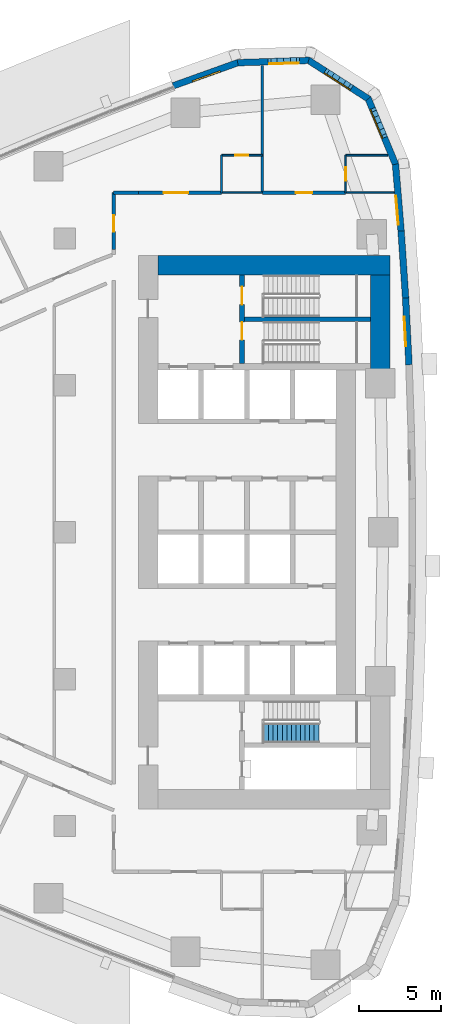
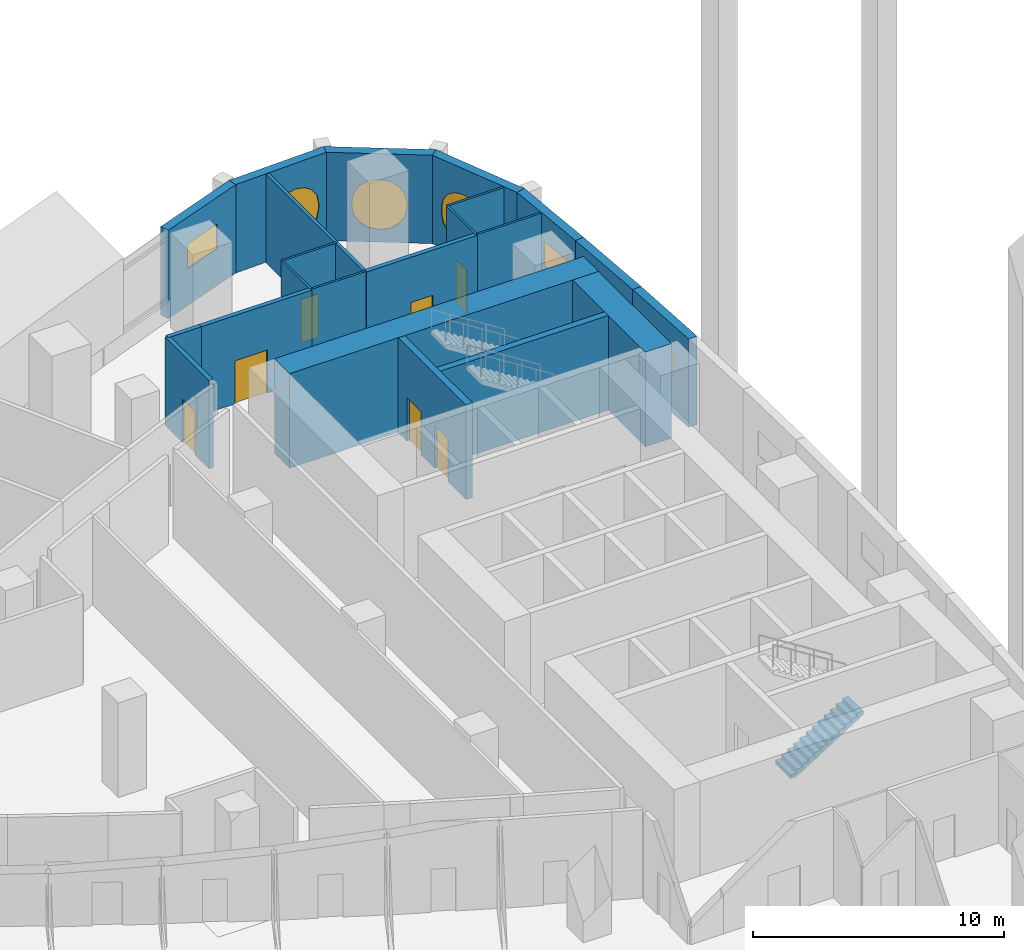
# One storey, part 13 of 20: 22 walls, 7 doors, 6 windows, 1 stair flight, 13 openings, 1 element without a shape of its own.
"""IFC4 building model written with IfcOpenShell, lengths in metres."""

from ifc_helpers import new_model, si_unit, direction, frame, frame_2d, origin, place, context, subcontext, project, spatial, polyline, rectangle, outline, extrude, material, layer, layer_set, type_object, element, fill, aggregate, save


model = new_model("IFC4")

# Units and contexts
model_context = context("Model", 3, precision=1e-05, world=origin(), true_north=direction((0.0, 1.0)))
body_context = subcontext(model_context, "Body", "Model", "MODEL_VIEW")
ifc_project = project(units=[si_unit("LENGTHUNIT", "METRE"), si_unit("AREAUNIT", "SQUARE_METRE"), si_unit("VOLUMEUNIT", "CUBIC_METRE"), si_unit("PLANEANGLEUNIT", "RADIAN"), si_unit("MASSUNIT", "GRAM", prefix="KILO")], contexts=[model_context])

# Site, building, storey
site_placement = place(None, origin())
site = spatial("IfcSite", under=ifc_project, at=site_placement, CompositionType="ELEMENT")
building_placement = place(site_placement, origin())
building = spatial("IfcBuilding", under=site, at=building_placement, Name="Ostrand Prow Hotel Tower", CompositionType="ELEMENT")
storey_placement = place(building_placement, frame((0.0, 0.0, 35.0)))
storey = spatial("IfcBuildingStorey", under=building, at=storey_placement, Name="L06", CompositionType="ELEMENT", Elevation=35.0)

# Walls
ifc_material_1 = material(Name="Concrete C80/95", Category="concrete")
ifc_layer_1 = layer(ifc_material_1, 1.199951171875)
ifc_layer_set_1 = layer_set([ifc_layer_1], Name="Concrete C80/95")
wall_type_1 = type_object("IfcWallType", Name="Core wall 1200 C80/95", PredefinedType="SHEAR", material=ifc_layer_set_1)
wall_1_placement = place(storey_placement, frame((50.699951171875, 16.35009765625, 0.0), z_axis=(0.0, 0.0, 1.0), x_axis=(1.0, 0.0, 0.0)))
element("IfcWall", 1, at=wall_1_placement, inside=storey, type_object=wall_type_1, Name="Core wall CW-N", PredefinedType="SHEAR", context=body_context, shape_type="SweptSolid", body=[
    extrude(rectangle(XDim=14.219970703125, YDim=1.199951171875, at=frame_2d((7.10986328125, 0.0))), origin(), (0.0, 0.0, 1.0), 4.60009765625),
])
wall_2_placement = place(storey_placement, frame((64.320068359375, 9.949951171875, 0.0), z_axis=(0.0, 0.0, 1.0), x_axis=(0.0, 1.0, 0.0)))
element("IfcWall", 2, at=wall_2_placement, inside=storey, type_object=wall_type_1, Name="Core wall CW-E-N", PredefinedType="SHEAR", context=body_context, shape_type="SweptSolid", body=[
    extrude(rectangle(XDim=5.800048828125, YDim=1.199951171875, at=frame_2d((2.89990234375, 0.0))), origin(), (0.0, 0.0, 1.0), 4.60009765625),
])

# Wall, openings, doors
ifc_material_2 = material(Name="Concrete C80/95", Category="concrete")
ifc_layer_2 = layer(ifc_material_2, 0.300048828125)
ifc_layer_set_2 = layer_set([ifc_layer_2], Name="Concrete C80/95")
wall_type_2 = type_object("IfcWallType", Name="Core wall 300 C80/95", PredefinedType="SHEAR", material=ifc_layer_set_2)
wall_3_placement = place(storey_placement, frame((55.85009765625, 10.35009765625, 0.0), z_axis=(0.0, 0.0, 1.0), x_axis=(0.0, 1.0, 0.0)))
wall_3 = element("IfcWall", 3, at=wall_3_placement, inside=storey, type_object=wall_type_2, Name="Core wall PW-VN", PredefinedType="SHEAR", context=body_context, shape_type="SweptSolid", body=[
    extrude(rectangle(XDim=5.39990234375, YDim=0.300048828125, at=frame_2d((2.699951171875, 0.0))), origin(), (0.0, 0.0, 1.0), 4.60009765625),
])
opening_1_placement = place(wall_3_placement, frame((1.429931640625, 0.0, 0.0)))
opening_1 = element("IfcOpeningElement", 4, at=opening_1_placement, cuts=wall_3, Name="Opening FD1", PredefinedType="OPENING", context=body_context, shape_type="SweptSolid", body=[
    extrude(rectangle(XDim=1.10009765625, YDim=2.10009765625, at=frame_2d((0.550048828125, 1.050048828125))), frame((0.0, 0.159912109375, 0.0), z_axis=(0.0, -1.0, 0.0), x_axis=(1.0, 0.0, 0.0)), (0.0, 0.0, 1.0), 0.320068359375),
])
opening_2_placement = place(wall_3_placement, frame((3.60009765625, 0.0, 0.0)))
opening_2 = element("IfcOpeningElement", 5, at=opening_2_placement, cuts=wall_3, Name="Opening FD1", PredefinedType="OPENING", context=body_context, shape_type="SweptSolid", body=[
    extrude(rectangle(XDim=1.10009765625, YDim=2.10009765625, at=frame_2d((0.550048828125, 1.050048828125))), frame((0.0, 0.159912109375, 0.0), z_axis=(0.0, -1.0, 0.0), x_axis=(1.0, 0.0, 0.0)), (0.0, 0.0, 1.0), 0.320068359375),
])
ifc_material_3 = material(Name="Steel fire door", Category="steel")
door_type_1 = type_object("IfcDoorType", Name="Fire door 1100 EI120", OperationType="SINGLE_SWING_RIGHT", PredefinedType="DOOR", material=ifc_material_3)
door_1_placement = place(opening_1_placement, origin())
door_1 = element("IfcDoor", 6, at=door_1_placement, inside=storey, type_object=door_type_1, Name="FIRE DOOR", OperationType="SINGLE_SWING_RIGHT", OverallHeight=2.10009765625, OverallWidth=1.10009765625, PredefinedType="DOOR", context=body_context, shape_type="SweptSolid", body=[
    extrude(rectangle(XDim=1.10009765625, YDim=2.10009765625, at=frame_2d((0.550048828125, 1.050048828125))), frame((0.0, 0.02490234375, 0.0), z_axis=(0.0, -1.0, 0.0), x_axis=(1.0, 0.0, 0.0)), (0.0, 0.0, 1.0), 0.050048828125),
])
fill(opening_1, door_1)
door_2_placement = place(opening_2_placement, origin())
door_2 = element("IfcDoor", 7, at=door_2_placement, inside=storey, type_object=door_type_1, Name="FIRE DOOR", OperationType="SINGLE_SWING_RIGHT", OverallHeight=2.10009765625, OverallWidth=1.10009765625, PredefinedType="DOOR", context=body_context, shape_type="SweptSolid", body=[
    extrude(rectangle(XDim=1.10009765625, YDim=2.10009765625, at=frame_2d((0.550048828125, 1.050048828125))), frame((0.0, 0.02490234375, 0.0), z_axis=(0.0, -1.0, 0.0), x_axis=(1.0, 0.0, 0.0)), (0.0, 0.0, 1.0), 0.050048828125),
])
fill(opening_2, door_2)

# Walls
wall_4_placement = place(storey_placement, frame((56.0, 13.050048828125, 0.0), z_axis=(0.0, 0.0, 1.0), x_axis=(1.0, 0.0, 0.0)))
element("IfcWall", 8, at=wall_4_placement, inside=storey, type_object=wall_type_2, Name="Core wall PW-ST13", PredefinedType="SHEAR", context=body_context, shape_type="SweptSolid", body=[
    extrude(rectangle(XDim=7.719970703125, YDim=0.300048828125, at=frame_2d((3.85986328125, 0.0))), origin(), (0.0, 0.0, 1.0), 4.60009765625),
])
ifc_material_4 = material(Name="Plasterboard partition")
ifc_layer_3 = layer(ifc_material_4, 0.10009765625)
ifc_layer_set_3 = layer_set([ifc_layer_3], Name="Plasterboard partition")
wall_type_3 = type_object("IfcWallType", Name="Partition 100 bathroom wall", PredefinedType="PARTITIONING", material=ifc_layer_set_3)
wall_5_placement = place(storey_placement, frame((54.601806640625, 20.800048828125, 0.0), z_axis=(0.0, 0.0, 1.0), x_axis=(0.0, 1.0, 0.0)))
element("IfcWall", 9, at=wall_5_placement, inside=storey, type_object=wall_type_3, Name="BATHROOM WALL", PredefinedType="PARTITIONING", context=body_context, shape_type="SweptSolid", body=[
    extrude(rectangle(XDim=2.300048828125, YDim=0.10009765625, at=frame_2d((1.14990234375, 0.0))), origin(), (0.0, 0.0, 1.0), 4.300048828125),
])

# Wall, opening, door
wall_6_placement = place(storey_placement, frame((54.601806640625, 23.10009765625, 0.0), z_axis=(0.0, 0.0, 1.0), x_axis=(1.0, 0.0, 0.0)))
wall_6 = element("IfcWall", 10, at=wall_6_placement, inside=storey, type_object=wall_type_3, Name="BATHROOM WALL", PredefinedType="PARTITIONING", context=body_context, shape_type="SweptSolid", body=[
    extrude(rectangle(XDim=2.5, YDim=0.10009765625, at=frame_2d((1.25, 0.0))), origin(), (0.0, 0.0, 1.0), 4.300048828125),
])
opening_3_placement = place(wall_6_placement, frame((0.85009765625, 0.0, 0.0)))
opening_3 = element("IfcOpeningElement", 11, at=opening_3_placement, cuts=wall_6, Name="Opening D2", PredefinedType="OPENING", context=body_context, shape_type="SweptSolid", body=[
    extrude(rectangle(XDim=0.800048828125, YDim=2.10009765625, at=frame_2d((0.39990234375, 1.050048828125))), frame((0.0, 0.06005859375, 0.0), z_axis=(0.0, -1.0, 0.0), x_axis=(1.0, 0.0, 0.0)), (0.0, 0.0, 1.0), 0.1201171875),
])
ifc_material_5 = material(Name="Timber door leaf", Category="wood")
door_type_2 = type_object("IfcDoorType", Name="Bathroom door 800", OperationType="SINGLE_SWING_LEFT", PredefinedType="DOOR", material=ifc_material_5)
door_3_placement = place(opening_3_placement, origin())
door_3 = element("IfcDoor", 12, at=door_3_placement, inside=storey, type_object=door_type_2, Name="DOOR", OperationType="SINGLE_SWING_LEFT", OverallHeight=2.10009765625, OverallWidth=0.800048828125, PredefinedType="DOOR", context=body_context, shape_type="SweptSolid", body=[
    extrude(rectangle(XDim=0.800048828125, YDim=2.10009765625, at=frame_2d((0.39990234375, 1.050048828125))), frame((0.0, 0.02490234375, 0.0), z_axis=(0.0, -1.0, 0.0), x_axis=(1.0, 0.0, 0.0)), (0.0, 0.0, 1.0), 0.050048828125),
])
fill(opening_3, door_3)

wall_7_placement = place(storey_placement, frame((62.203369140625, 20.800048828125, 0.0), z_axis=(0.0, 0.0, 1.0), x_axis=(0.0, 1.0, 0.0)))
wall_7 = element("IfcWall", 13, at=wall_7_placement, inside=storey, type_object=wall_type_3, Name="BATHROOM WALL", PredefinedType="PARTITIONING", context=body_context, shape_type="SweptSolid", body=[
    extrude(rectangle(XDim=2.300048828125, YDim=0.10009765625, at=frame_2d((1.14990234375, 0.0))), origin(), (0.0, 0.0, 1.0), 4.300048828125),
])
opening_4_placement = place(wall_7_placement, frame((0.75, 0.0, 0.0)))
opening_4 = element("IfcOpeningElement", 14, at=opening_4_placement, cuts=wall_7, Name="Opening D2", PredefinedType="OPENING", context=body_context, shape_type="SweptSolid", body=[
    extrude(rectangle(XDim=0.800048828125, YDim=2.10009765625, at=frame_2d((0.39990234375, 1.050048828125))), frame((0.0, 0.06005859375, 0.0), z_axis=(0.0, -1.0, 0.0), x_axis=(1.0, 0.0, 0.0)), (0.0, 0.0, 1.0), 0.1201171875),
])
door_4_placement = place(opening_4_placement, origin())
door_4 = element("IfcDoor", 15, at=door_4_placement, inside=storey, type_object=door_type_2, Name="DOOR", OperationType="SINGLE_SWING_LEFT", OverallHeight=2.10009765625, OverallWidth=0.800048828125, PredefinedType="DOOR", context=body_context, shape_type="SweptSolid", body=[
    extrude(rectangle(XDim=0.800048828125, YDim=2.10009765625, at=frame_2d((0.39990234375, 1.050048828125))), frame((0.0, 0.02490234375, 0.0), z_axis=(0.0, -1.0, 0.0), x_axis=(1.0, 0.0, 0.0)), (0.0, 0.0, 1.0), 0.050048828125),
])
fill(opening_4, door_4)

# Walls
wall_8_placement = place(storey_placement, frame((62.203369140625, 23.10009765625, 0.0), z_axis=(0.0, 0.0, 1.0), x_axis=(1.0, 0.0, 0.0)))
element("IfcWall", 16, at=wall_8_placement, inside=storey, type_object=wall_type_3, Name="BATHROOM WALL", PredefinedType="PARTITIONING", context=body_context, shape_type="SweptSolid", body=[
    extrude(rectangle(XDim=2.578125, YDim=0.10009765625, at=frame_2d((1.2890625, 0.0))), origin(), (0.0, 0.0, 1.0), 4.300048828125),
])
wall_9_placement = place(storey_placement, frame((57.101806640625, 20.804931640625, 0.0), z_axis=(0.0, 0.0, 1.0), x_axis=(-1.0, 0.0, 0.0)))
element("IfcWall", 17, at=wall_9_placement, inside=storey, type_object=wall_type_3, Name="BATHROOM WALL", PredefinedType="PARTITIONING", context=body_context, shape_type="SweptSolid", body=[
    extrude(rectangle(XDim=2.5, YDim=0.10009765625, at=frame_2d((1.25, 0.0))), origin(), (0.0, 0.0, 1.0), 4.300048828125),
])
wall_10_placement = place(storey_placement, frame((65.174560546875, 20.804931640625, 0.0), z_axis=(0.0, 0.0, 1.0), x_axis=(-1.0, 0.0, 0.0)))
element("IfcWall", 18, at=wall_10_placement, inside=storey, type_object=wall_type_3, Name="BATHROOM WALL", PredefinedType="PARTITIONING", context=body_context, shape_type="SweptSolid", body=[
    extrude(rectangle(XDim=2.97119140625, YDim=0.10009765625, at=frame_2d((1.485595703125, 0.0))), origin(), (0.0, 0.0, 1.0), 4.300048828125),
])
ifc_material_6 = material(Name="Plasterboard partition")
ifc_layer_4 = layer(ifc_material_6, 0.14990234375)
ifc_layer_set_4 = layer_set([ifc_layer_4], Name="Plasterboard partition")
wall_type_4 = type_object("IfcWallType", Name="Partition 150 room partition", PredefinedType="PARTITIONING", material=ifc_layer_set_4)
wall_11_placement = place(storey_placement, frame((57.101806640625, 20.800048828125, 0.0), z_axis=(0.0, 0.0, 1.0), x_axis=(0.0, 1.0, 0.0)))
element("IfcWall", 19, at=wall_11_placement, inside=storey, type_object=wall_type_4, Name="ROOM PARTITION", PredefinedType="PARTITIONING", context=body_context, shape_type="SweptSolid", body=[
    extrude(rectangle(XDim=7.786865234375, YDim=0.14990234375, at=frame_2d((3.8935546875, 0.0))), origin(), (0.0, 0.0, 1.0), 4.300048828125),
])

# Wall, opening, door
ifc_material_7 = material(Name="Plasterboard partition")
ifc_layer_5 = layer(ifc_material_7, 0.199951171875)
ifc_layer_set_5 = layer_set([ifc_layer_5], Name="Plasterboard partition")
wall_type_5 = type_object("IfcWallType", Name="Partition 200 corridor wall", PredefinedType="PARTITIONING", material=ifc_layer_set_5)
wall_12_placement = place(storey_placement, frame((54.5966796875, 20.804931640625, 0.0), z_axis=(0.0, 0.0, 1.0), x_axis=(-1.0, 0.0, 0.0)))
wall_12 = element("IfcWall", 20, at=wall_12_placement, inside=storey, type_object=wall_type_5, Name="CORRIDOR WALL", PredefinedType="PARTITIONING", context=body_context, shape_type="SweptSolid", body=[
    extrude(rectangle(XDim=5.0966796875, YDim=0.199951171875, at=frame_2d((2.54833984375, 0.0))), origin(), (0.0, 0.0, 1.0), 4.300048828125),
])
opening_5_placement = place(wall_12_placement, frame((2.04833984375, 0.0, 0.0)))
opening_5 = element("IfcOpeningElement", 21, at=opening_5_placement, cuts=wall_12, Name="Opening D15", PredefinedType="OPENING", context=body_context, shape_type="SweptSolid", body=[
    extrude(rectangle(XDim=1.5, YDim=2.10009765625, at=frame_2d((0.75, 1.050048828125))), frame((0.0, 0.10986328125, 0.0), z_axis=(0.0, -1.0, 0.0), x_axis=(1.0, 0.0, 0.0)), (0.0, 0.0, 1.0), 0.219970703125),
])
ifc_material_8 = material(Name="Timber door leaf", Category="wood")
door_type_3 = type_object("IfcDoorType", Name="Double door 1500", OperationType="DOUBLE_DOOR_SINGLE_SWING", PredefinedType="DOOR", material=ifc_material_8)
door_5_placement = place(opening_5_placement, origin())
door_5 = element("IfcDoor", 22, at=door_5_placement, inside=storey, type_object=door_type_3, Name="DOOR", OperationType="DOUBLE_DOOR_SINGLE_SWING", OverallHeight=2.10009765625, OverallWidth=1.5, PredefinedType="DOOR", context=body_context, shape_type="SweptSolid", body=[
    extrude(rectangle(XDim=1.5, YDim=2.10009765625, at=frame_2d((0.75, 1.050048828125))), frame((0.0, 0.02490234375, 0.0), z_axis=(0.0, -1.0, 0.0), x_axis=(1.0, 0.0, 0.0)), (0.0, 0.0, 1.0), 0.050048828125),
])
fill(opening_5, door_5)

wall_13_placement = place(storey_placement, frame((62.1982421875, 20.804931640625, 0.0), z_axis=(0.0, 0.0, 1.0), x_axis=(-1.0, 0.0, 0.0)))
wall_13 = element("IfcWall", 23, at=wall_13_placement, inside=storey, type_object=wall_type_5, Name="CORRIDOR WALL", PredefinedType="PARTITIONING", context=body_context, shape_type="SweptSolid", body=[
    extrude(rectangle(XDim=5.091552734375, YDim=0.199951171875, at=frame_2d((2.5458984375, 0.0))), origin(), (0.0, 0.0, 1.0), 4.300048828125),
])
opening_6_placement = place(wall_13_placement, frame((2.0458984375, 0.0, 0.0)))
opening_6 = element("IfcOpeningElement", 24, at=opening_6_placement, cuts=wall_13, Name="Opening D1", PredefinedType="OPENING", context=body_context, shape_type="SweptSolid", body=[
    extrude(rectangle(XDim=1.0, YDim=2.10009765625, at=frame_2d((0.5, 1.050048828125))), frame((0.0, 0.10986328125, 0.0), z_axis=(0.0, -1.0, 0.0), x_axis=(1.0, 0.0, 0.0)), (0.0, 0.0, 1.0), 0.219970703125),
])
ifc_material_9 = material(Name="Timber door leaf", Category="wood")
door_type_4 = type_object("IfcDoorType", Name="Guest room door 1000", OperationType="SINGLE_SWING_LEFT", PredefinedType="DOOR", material=ifc_material_9)
door_6_placement = place(opening_6_placement, origin())
door_6 = element("IfcDoor", 25, at=door_6_placement, inside=storey, type_object=door_type_4, Name="DOOR", OperationType="SINGLE_SWING_LEFT", OverallHeight=2.10009765625, OverallWidth=1.0, PredefinedType="DOOR", context=body_context, shape_type="SweptSolid", body=[
    extrude(rectangle(XDim=1.0, YDim=2.10009765625, at=frame_2d((0.5, 1.050048828125))), frame((0.0, 0.02490234375, 0.0), z_axis=(0.0, -1.0, 0.0), x_axis=(1.0, 0.0, 0.0)), (0.0, 0.0, 1.0), 0.050048828125),
])
fill(opening_6, door_6)

wall_14_placement = place(storey_placement, frame((47.99560546875, 20.802490234375, 0.0), z_axis=(0.0, 0.0, 1.0), x_axis=(0.000840276995, -0.999999646967, 0.0)))
wall_14 = element("IfcWall", 26, at=wall_14_placement, inside=storey, type_object=wall_type_5, Name="CORRIDOR WALL", PredefinedType="PARTITIONING", context=body_context, shape_type="SweptSolid", body=[
    extrude(rectangle(XDim=3.486572265625, YDim=0.199951171875, at=frame_2d((1.7431640625, 0.0))), origin(), (0.0, 0.0, 1.0), 4.300048828125),
])
opening_7_placement = place(wall_14_placement, frame((1.385009765625, 0.0, 0.0)))
opening_7 = element("IfcOpeningElement", 27, at=opening_7_placement, cuts=wall_14, Name="Opening D1R", PredefinedType="OPENING", context=body_context, shape_type="SweptSolid", body=[
    extrude(rectangle(XDim=1.0, YDim=2.10009765625, at=frame_2d((0.5, 1.050048828125))), frame((0.0, 0.10986328125, 0.0), z_axis=(0.0, -1.0, 0.0), x_axis=(1.0, 0.0, 0.0)), (0.0, 0.0, 1.0), 0.219970703125),
])
ifc_material_10 = material(Name="Timber door leaf", Category="wood")
door_type_5 = type_object("IfcDoorType", Name="Guest room door 1000 right", OperationType="SINGLE_SWING_RIGHT", PredefinedType="DOOR", material=ifc_material_10)
door_7_placement = place(opening_7_placement, origin())
door_7 = element("IfcDoor", 28, at=door_7_placement, inside=storey, type_object=door_type_5, Name="DOOR", OperationType="SINGLE_SWING_RIGHT", OverallHeight=2.10009765625, OverallWidth=1.0, PredefinedType="DOOR", context=body_context, shape_type="SweptSolid", body=[
    extrude(rectangle(XDim=1.0, YDim=2.10009765625, at=frame_2d((0.5, 1.050048828125))), frame((0.0, 0.02490234375, 0.0), z_axis=(0.0, -1.0, 0.0), x_axis=(1.0, 0.0, 0.0)), (0.0, 0.0, 1.0), 0.050048828125),
])
fill(opening_7, door_7)

# Wall
wall_15_placement = place(storey_placement, frame((49.5, 20.804931640625, 0.0), z_axis=(0.0, 0.0, 1.0), x_axis=(-0.999998683182, -0.001622847587, 0.0)))
element("IfcWall", 29, at=wall_15_placement, inside=storey, type_object=wall_type_5, Name="CORRIDOR WALL", PredefinedType="PARTITIONING", context=body_context, shape_type="SweptSolid", body=[
    extrude(rectangle(XDim=1.50439453125, YDim=0.199951171875, at=frame_2d((0.752197265625, 0.0))), origin(), (0.0, 0.0, 1.0), 4.300048828125),
])

# Wall, opening, window
ifc_material_11 = material(Name="Precast concrete C40/50", Category="concrete")
ifc_layer_6 = layer(ifc_material_11, 0.39990234375)
ifc_layer_set_6 = layer_set([ifc_layer_6], Name="Precast concrete C40/50")
wall_type_6 = type_object("IfcWallType", Name="Stone-faced precast wall 400 mm", PredefinedType="NOTDEFINED", material=ifc_layer_set_6)
wall_16_placement = place(storey_placement, frame((66.084716796875, 10.259765625, 0.0), z_axis=(0.0, 0.0, 1.0), x_axis=(-0.050314326423, 0.998733432181, 0.0)))
wall_16 = element("IfcWall", 30, at=wall_16_placement, inside=storey, type_object=wall_type_6, Name="Stone-faced wall back 13", PredefinedType="NOTDEFINED", context=body_context, shape_type="SweptSolid", body=[
    extrude(outline(polyline([(-0.001708984375, -0.199951171875), (4.106689453125, -0.199951171875), (4.103271484375, 0.199951171875), (0.001708984375, 0.199951171875), (-0.001708984375, -0.199951171875)])), origin(), (0.0, 0.0, 1.0), 4.300048828125),
])
opening_8_placement = place(wall_16_placement, frame((1.152587890625, 0.0, 1.800048828125)))
opening_8 = element("IfcOpeningElement", 31, at=opening_8_placement, cuts=wall_16, Name="Opening WC1", PredefinedType="OPENING", context=body_context, shape_type="SweptSolid", body=[
    extrude(rectangle(XDim=1.800048828125, YDim=1.199951171875, at=frame_2d((0.89990234375, 0.60009765625))), frame((0.0, 0.2099609375, 0.0), z_axis=(0.0, -1.0, 0.0), x_axis=(1.0, 0.0, 0.0)), (0.0, 0.0, 1.0), 0.419921875),
])
ifc_material_12 = material(Name="Insulated glass in bronze frame", Category="glass")
window_type_1 = type_object("IfcWindowType", Name="Sky lobby clerestory window 1800x1200", PartitioningType="SINGLE_PANEL", PredefinedType="WINDOW", material=ifc_material_12)
window_1_placement = place(opening_8_placement, origin())
window_1 = element("IfcWindow", 32, at=window_1_placement, inside=storey, type_object=window_type_1, Name="Window back 13.1", OverallHeight=1.199951171875, OverallWidth=1.800048828125, PartitioningType="SINGLE_PANEL", PredefinedType="WINDOW", context=body_context, shape_type="SweptSolid", body=[
    extrude(rectangle(XDim=1.800048828125, YDim=1.199951171875, at=frame_2d((0.89990234375, 0.60009765625))), frame((0.0, 0.169921875, 0.0), z_axis=(0.0, -1.0, 0.0), x_axis=(1.0, 0.0, 0.0)), (0.0, 0.0, 1.0), 0.06005859375),
])
fill(opening_8, window_1)

# Wall
wall_17_placement = place(storey_placement, frame((65.878173828125, 14.359619140625, 0.0), z_axis=(0.0, 0.0, 1.0), x_axis=(-0.067087430225, 0.997747100575, 0.0)))
element("IfcWall", 33, at=wall_17_placement, inside=storey, type_object=wall_type_6, Name="Stone-faced wall back 14", PredefinedType="NOTDEFINED", context=body_context, shape_type="SweptSolid", body=[
    extrude(outline(polyline([(-0.001708984375, -0.199951171875), (4.106689453125, -0.199951171875), (4.103271484375, 0.199951171875), (0.001708984375, 0.199951171875), (-0.001708984375, -0.199951171875)])), origin(), (0.0, 0.0, 1.0), 4.300048828125),
])

# Wall, opening, window
wall_18_placement = place(storey_placement, frame((65.602783203125, 18.455322265625, 0.0), z_axis=(0.0, 0.0, 1.0), x_axis=(-0.083793550906, 0.996483136248, 0.0)))
wall_18 = element("IfcWall", 34, at=wall_18_placement, inside=storey, type_object=wall_type_6, Name="Stone-faced wall back 15", PredefinedType="NOTDEFINED", context=body_context, shape_type="SweptSolid", body=[
    extrude(outline(polyline([(-0.001708984375, -0.199951171875), (4.136474609375, -0.199951171875), (4.073974609375, 0.199951171875), (0.001708984375, 0.199951171875), (-0.001708984375, -0.199951171875)])), origin(), (0.0, 0.0, 1.0), 4.300048828125),
])
opening_9_placement = place(wall_18_placement, frame((0.388427734375, 0.0, 1.800048828125)))
opening_9 = element("IfcOpeningElement", 35, at=opening_9_placement, cuts=wall_18, Name="Opening WC1", PredefinedType="OPENING", context=body_context, shape_type="SweptSolid", body=[
    extrude(rectangle(XDim=1.800048828125, YDim=1.199951171875, at=frame_2d((0.89990234375, 0.60009765625))), frame((0.0, 0.2099609375, 0.0), z_axis=(0.0, -1.0, 0.0), x_axis=(1.0, 0.0, 0.0)), (0.0, 0.0, 1.0), 0.419921875),
])
window_2_placement = place(opening_9_placement, origin())
window_2 = element("IfcWindow", 36, at=window_2_placement, inside=storey, type_object=window_type_1, Name="Window back 15.1", OverallHeight=1.199951171875, OverallWidth=1.800048828125, PartitioningType="SINGLE_PANEL", PredefinedType="WINDOW", context=body_context, shape_type="SweptSolid", body=[
    extrude(rectangle(XDim=1.800048828125, YDim=1.199951171875, at=frame_2d((0.89990234375, 0.60009765625))), frame((0.0, 0.169921875, 0.0), z_axis=(0.0, -1.0, 0.0), x_axis=(1.0, 0.0, 0.0)), (0.0, 0.0, 1.0), 0.06005859375),
])
fill(opening_9, window_2)

wall_19_placement = place(storey_placement, frame((65.2587890625, 22.546142578125, 0.0), z_axis=(0.0, 0.0, 1.0), x_axis=(-0.384372042685, 0.923178277908, 0.0)))
wall_19 = element("IfcWall", 37, at=wall_19_placement, inside=storey, type_object=wall_type_6, Name="Stone-faced wall back 16", PredefinedType="NOTDEFINED", context=body_context, shape_type="SweptSolid", body=[
    extrude(outline(polyline([(-0.03125, -0.199951171875), (4.408203125, -0.199951171875), (4.283203125, 0.199951171875), (0.03125, 0.199951171875), (-0.03125, -0.199951171875)])), origin(), (0.0, 0.0, 1.0), 4.300048828125),
])
opening_10_placement = place(wall_19_placement, frame((1.630615234375, 0.0, 0.60009765625)))
opening_10 = element("IfcOpeningElement", 38, at=opening_10_placement, cuts=wall_19, Name="Opening WP2", PredefinedType="OPENING", context=body_context, shape_type="SweptSolid", body=[
    extrude(outline(polyline([(0.0, 1.35009765625), (0.083740234375, 1.77099609375), (0.322265625, 2.127685546875), (0.678955078125, 2.3662109375), (1.10009765625, 2.449951171875), (1.52099609375, 2.3662109375), (1.877685546875, 2.127685546875), (2.1162109375, 1.77099609375), (2.199951171875, 1.35009765625), (2.199951171875, 1.10009765625), (2.1162109375, 0.678955078125), (1.877685546875, 0.322265625), (1.52099609375, 0.083740234375), (1.10009765625, 0.0), (0.678955078125, 0.083740234375), (0.322265625, 0.322265625), (0.083740234375, 0.678955078125), (0.0, 1.099853515625), (0.0, 1.35009765625)])), frame((0.0, 0.2099609375, 0.0), z_axis=(0.0, -1.0, 0.0), x_axis=(1.0, 0.0, 0.0)), (0.0, 0.0, 1.0), 0.419921875),
])
ifc_material_13 = material(Name="Insulated glass in bronze frame", Category="glass")
window_type_2 = type_object("IfcWindowType", Name="Round-ended prow lounge window 2200x2450", PartitioningType="SINGLE_PANEL", PredefinedType="WINDOW", material=ifc_material_13)
window_3_placement = place(opening_10_placement, origin())
window_3 = element("IfcWindow", 39, at=window_3_placement, inside=storey, type_object=window_type_2, Name="Window back 16.1", OverallHeight=2.449951171875, OverallWidth=2.199951171875, PartitioningType="SINGLE_PANEL", PredefinedType="WINDOW", context=body_context, shape_type="SweptSolid", body=[
    extrude(outline(polyline([(0.0, 1.35009765625), (0.083740234375, 1.77099609375), (0.322265625, 2.127685546875), (0.678955078125, 2.3662109375), (1.10009765625, 2.449951171875), (1.52099609375, 2.3662109375), (1.877685546875, 2.127685546875), (2.1162109375, 1.77099609375), (2.199951171875, 1.35009765625), (2.199951171875, 1.10009765625), (2.1162109375, 0.678955078125), (1.877685546875, 0.322265625), (1.52099609375, 0.083740234375), (1.10009765625, 0.0), (0.678955078125, 0.083740234375), (0.322265625, 0.322265625), (0.083740234375, 0.678955078125), (0.0, 1.099853515625), (0.0, 1.35009765625)])), frame((0.0, 0.169921875, 0.0), z_axis=(0.0, -1.0, 0.0), x_axis=(1.0, 0.0, 0.0)), (0.0, 0.0, 1.0), 0.06005859375),
])
fill(opening_10, window_3)

wall_20_placement = place(storey_placement, frame((63.58837890625, 26.55810546875, 0.0), z_axis=(0.0, 0.0, 1.0), x_axis=(-0.840937468718, 0.541132307025, 0.0)))
wall_20 = element("IfcWall", 40, at=wall_20_placement, inside=storey, type_object=wall_type_6, Name="Stone-faced wall back 17", PredefinedType="NOTDEFINED", context=body_context, shape_type="SweptSolid", body=[
    extrude(outline(polyline([(-0.0625, -0.199951171875), (4.40869140625, -0.199951171875), (4.28369140625, 0.199951171875), (0.0625, 0.199951171875), (-0.0625, -0.199951171875)])), origin(), (0.0, 0.0, 1.0), 4.300048828125),
])
opening_11_placement = place(wall_20_placement, frame((1.072998046875, 0.0, 0.60009765625)))
opening_11 = element("IfcOpeningElement", 41, at=opening_11_placement, cuts=wall_20, Name="Opening WP2", PredefinedType="OPENING", context=body_context, shape_type="SweptSolid", body=[
    extrude(outline(polyline([(0.0, 1.35009765625), (0.083740234375, 1.77099609375), (0.322265625, 2.127685546875), (0.678955078125, 2.3662109375), (1.10009765625, 2.449951171875), (1.52099609375, 2.3662109375), (1.877685546875, 2.127685546875), (2.1162109375, 1.77099609375), (2.199951171875, 1.35009765625), (2.199951171875, 1.10009765625), (2.1162109375, 0.678955078125), (1.877685546875, 0.322265625), (1.52099609375, 0.083740234375), (1.10009765625, 0.0), (0.678955078125, 0.083740234375), (0.322265625, 0.322265625), (0.083740234375, 0.678955078125), (0.0, 1.099853515625), (0.0, 1.35009765625)])), frame((0.0, 0.2099609375, 0.0), z_axis=(0.0, -1.0, 0.0), x_axis=(1.0, 0.0, 0.0)), (0.0, 0.0, 1.0), 0.419921875),
])
window_4_placement = place(opening_11_placement, origin())
window_4 = element("IfcWindow", 42, at=window_4_placement, inside=storey, type_object=window_type_2, Name="Window back 17.1", OverallHeight=2.449951171875, OverallWidth=2.199951171875, PartitioningType="SINGLE_PANEL", PredefinedType="WINDOW", context=body_context, shape_type="SweptSolid", body=[
    extrude(outline(polyline([(0.0, 1.35009765625), (0.083740234375, 1.77099609375), (0.322265625, 2.127685546875), (0.678955078125, 2.3662109375), (1.10009765625, 2.449951171875), (1.52099609375, 2.3662109375), (1.877685546875, 2.127685546875), (2.1162109375, 1.77099609375), (2.199951171875, 1.35009765625), (2.199951171875, 1.10009765625), (2.1162109375, 0.678955078125), (1.877685546875, 0.322265625), (1.52099609375, 0.083740234375), (1.10009765625, 0.0), (0.678955078125, 0.083740234375), (0.322265625, 0.322265625), (0.083740234375, 0.678955078125), (0.0, 1.099853515625), (0.0, 1.35009765625)])), frame((0.0, 0.169921875, 0.0), z_axis=(0.0, -1.0, 0.0), x_axis=(1.0, 0.0, 0.0)), (0.0, 0.0, 1.0), 0.06005859375),
])
fill(opening_11, window_4)

wall_21_placement = place(storey_placement, frame((59.93359375, 28.909912109375, 0.0), z_axis=(0.0, 0.0, 1.0), x_axis=(-0.999463576228, -0.032749958686, 0.0)))
wall_21 = element("IfcWall", 43, at=wall_21_placement, inside=storey, type_object=wall_type_6, Name="Stone-faced wall back 18", PredefinedType="NOTDEFINED", context=body_context, shape_type="SweptSolid", body=[
    extrude(outline(polyline([(-0.0625, -0.199951171875), (4.377685546875, -0.199951171875), (4.314697265625, 0.199951171875), (0.0625, 0.199951171875), (-0.0625, -0.199951171875)])), origin(), (0.0, 0.0, 1.0), 4.300048828125),
])
opening_12_placement = place(wall_21_placement, frame((0.421875, 0.0, 0.60009765625)))
opening_12 = element("IfcOpeningElement", 44, at=opening_12_placement, cuts=wall_21, Name="Opening WP2", PredefinedType="OPENING", context=body_context, shape_type="SweptSolid", body=[
    extrude(outline(polyline([(0.0, 1.35009765625), (0.083740234375, 1.77099609375), (0.322265625, 2.127685546875), (0.678955078125, 2.3662109375), (1.10009765625, 2.449951171875), (1.52099609375, 2.3662109375), (1.877685546875, 2.127685546875), (2.1162109375, 1.77099609375), (2.199951171875, 1.35009765625), (2.199951171875, 1.10009765625), (2.1162109375, 0.678955078125), (1.877685546875, 0.322265625), (1.52099609375, 0.083740234375), (1.10009765625, 0.0), (0.678955078125, 0.083740234375), (0.322265625, 0.322265625), (0.083740234375, 0.678955078125), (0.0, 1.099853515625), (0.0, 1.35009765625)])), frame((0.0, 0.2099609375, 0.0), z_axis=(0.0, -1.0, 0.0), x_axis=(1.0, 0.0, 0.0)), (0.0, 0.0, 1.0), 0.419921875),
])
window_5_placement = place(opening_12_placement, origin())
window_5 = element("IfcWindow", 45, at=window_5_placement, inside=storey, type_object=window_type_2, Name="Window back 18.1", OverallHeight=2.449951171875, OverallWidth=2.199951171875, PartitioningType="SINGLE_PANEL", PredefinedType="WINDOW", context=body_context, shape_type="SweptSolid", body=[
    extrude(outline(polyline([(0.0, 1.35009765625), (0.083740234375, 1.77099609375), (0.322265625, 2.127685546875), (0.678955078125, 2.3662109375), (1.10009765625, 2.449951171875), (1.52099609375, 2.3662109375), (1.877685546875, 2.127685546875), (2.1162109375, 1.77099609375), (2.199951171875, 1.35009765625), (2.199951171875, 1.10009765625), (2.1162109375, 0.678955078125), (1.877685546875, 0.322265625), (1.52099609375, 0.083740234375), (1.10009765625, 0.0), (0.678955078125, 0.083740234375), (0.322265625, 0.322265625), (0.083740234375, 0.678955078125), (0.0, 1.099853515625), (0.0, 1.35009765625)])), frame((0.0, 0.169921875, 0.0), z_axis=(0.0, -1.0, 0.0), x_axis=(1.0, 0.0, 0.0)), (0.0, 0.0, 1.0), 0.06005859375),
])
fill(opening_12, window_5)

wall_22_placement = place(storey_placement, frame((55.58984375, 28.767578125, 0.0), z_axis=(0.0, 0.0, 1.0), x_axis=(-0.941339752885, -0.337460323057, 0.0)))
wall_22 = element("IfcWall", 46, at=wall_22_placement, inside=storey, type_object=wall_type_6, Name="Stone-faced wall back 19", PredefinedType="NOTDEFINED", context=body_context, shape_type="SweptSolid", body=[
    extrude(outline(polyline([(-0.031494140625, -0.199951171875), (4.196044921875, -0.199951171875), (4.196044921875, 0.199951171875), (0.031494140625, 0.199951171875), (-0.031494140625, -0.199951171875)])), origin(), (0.0, 0.0, 1.0), 4.300048828125),
])
opening_13_placement = place(wall_22_placement, frame((1.197998046875, 0.0, 1.800048828125)))
opening_13 = element("IfcOpeningElement", 47, at=opening_13_placement, cuts=wall_22, Name="Opening WC1", PredefinedType="OPENING", context=body_context, shape_type="SweptSolid", body=[
    extrude(rectangle(XDim=1.800048828125, YDim=1.199951171875, at=frame_2d((0.89990234375, 0.60009765625))), frame((0.0, 0.2099609375, 0.0), z_axis=(0.0, -1.0, 0.0), x_axis=(1.0, 0.0, 0.0)), (0.0, 0.0, 1.0), 0.419921875),
])
window_6_placement = place(opening_13_placement, origin())
window_6 = element("IfcWindow", 48, at=window_6_placement, inside=storey, type_object=window_type_1, Name="Window back 19.1", OverallHeight=1.199951171875, OverallWidth=1.800048828125, PartitioningType="SINGLE_PANEL", PredefinedType="WINDOW", context=body_context, shape_type="SweptSolid", body=[
    extrude(rectangle(XDim=1.800048828125, YDim=1.199951171875, at=frame_2d((0.89990234375, 0.60009765625))), frame((0.0, 0.169921875, 0.0), z_axis=(0.0, -1.0, 0.0), x_axis=(1.0, 0.0, 0.0)), (0.0, 0.0, 1.0), 0.06005859375),
])
fill(opening_13, window_6)

# Stair, stair flight
ifc_material_14 = material(Name="Concrete C40/50", Category="concrete")
stair_type = type_object("IfcStairType", Name="Exit stair 1200 upper zone", PredefinedType="HALF_TURN_STAIR", material=ifc_material_14)
stair_placement = place(storey_placement, origin())
stair = element("IfcStair", 49, at=stair_placement, inside=storey, type_object=stair_type, Name="L06 ST2C", PredefinedType="HALF_TURN_STAIR")
ifc_material_15 = material(Name="Concrete C40/50", Category="concrete")
stair_flight_type = type_object("IfcStairFlightType", Name="Stair flight 1200 concrete", PredefinedType="STRAIGHT", material=ifc_material_15)
stair_flight_placement = place(storey_placement, frame((57.199951171875, -12.300048828125, 0.0), z_axis=(0.0, 0.0, 1.0), x_axis=(1.0, 0.0, 0.0)))
stair_flight = element("IfcStairFlight", 50, at=stair_flight_placement, type_object=stair_flight_type, Name="ST2C flight 1", NumberOfRisers=13, NumberOfTreads=12, PredefinedType="STRAIGHT", RiserHeight=0.176923077, TreadLength=0.28, context=body_context, shape_type="SweptSolid", body=[
    extrude(outline(polyline([(0.0, 0.0), (0.0, 0.177001953125), (0.280029296875, 0.177001953125), (0.280029296875, 0.353759765625), (0.56005859375, 0.353759765625), (0.56005859375, 0.53076171875), (0.840087890625, 0.53076171875), (0.840087890625, 0.707763671875), (1.1201171875, 0.707763671875), (1.1201171875, 0.884521484375), (1.39990234375, 0.884521484375), (1.39990234375, 1.0615234375), (1.679931640625, 1.0615234375), (1.679931640625, 1.238525390625), (1.9599609375, 1.238525390625), (1.9599609375, 1.415283203125), (2.239990234375, 1.415283203125), (2.239990234375, 1.59228515625), (2.52001953125, 1.59228515625), (2.52001953125, 1.769287109375), (2.800048828125, 1.769287109375), (2.800048828125, 1.946044921875), (3.080078125, 1.946044921875), (3.080078125, 2.123046875), (3.360107421875, 2.123046875), (3.360107421875, 2.300048828125), (3.360107421875, 1.94580078125), (0.280517578125, 0.0), (0.0, 0.0)])), frame((0.0, 0.60009765625, 0.0), z_axis=(0.0, -1.0, 0.0), x_axis=(1.0, 0.0, 0.0)), (0.0, 0.0, 1.0), 1.199951171875),
])
aggregate(stair, [stair_flight])

save(model, "model.ifc")
